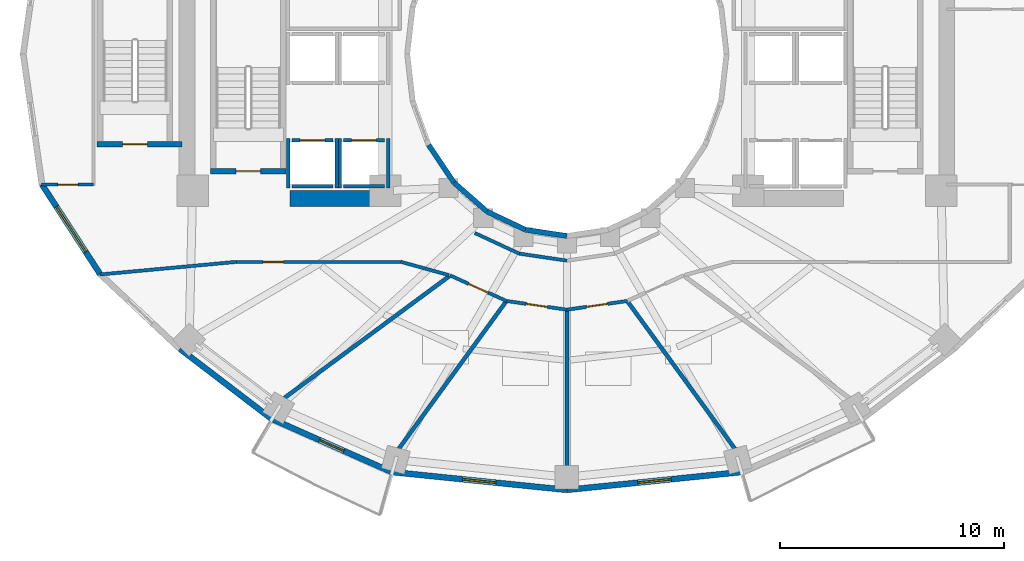
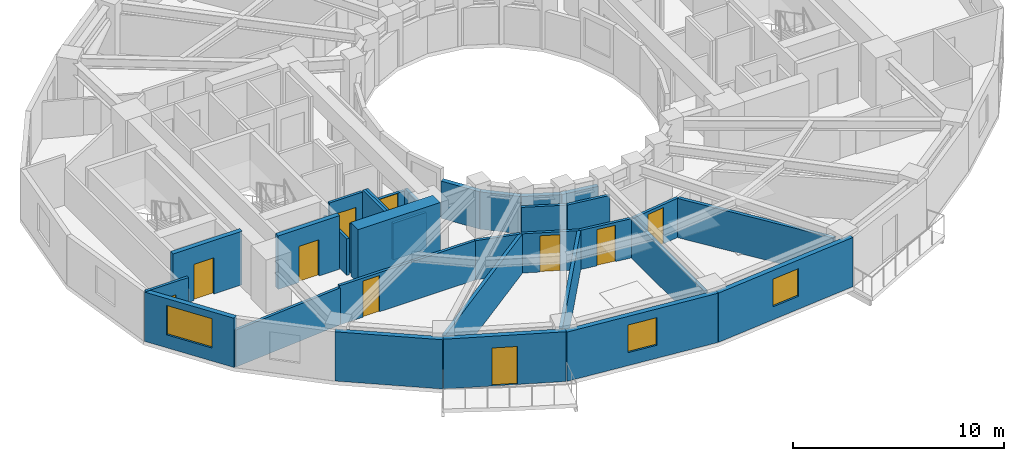
# One storey, part 3 of 10: 33 walls, 10 doors, 3 windows, 13 openings.
"""IFC4 building model written with IfcOpenShell, lengths in metres."""

from ifc_helpers import new_model, si_unit, direction, frame, frame_2d, origin, place, context, subcontext, project, spatial, rectangle, extrude, material, layer, layer_set, type_object, element, fill, save


model = new_model("IFC4")

# Units and contexts
model_context = context("Model", 3, precision=1e-05, world=origin(), true_north=direction((0.0, 1.0)))
body_context = subcontext(model_context, "Body", "Model", "MODEL_VIEW")
ifc_project = project(units=[si_unit("LENGTHUNIT", "METRE"), si_unit("AREAUNIT", "SQUARE_METRE"), si_unit("VOLUMEUNIT", "CUBIC_METRE"), si_unit("PLANEANGLEUNIT", "RADIAN"), si_unit("MASSUNIT", "GRAM", prefix="KILO")], contexts=[model_context])

# Site, building, storey
site_placement = place(None, origin())
site = spatial("IfcSite", under=ifc_project, at=site_placement, CompositionType="ELEMENT")
building_placement = place(site_placement, origin())
building = spatial("IfcBuilding", under=site, at=building_placement, Name="Solvane Sanctuary Tower", CompositionType="ELEMENT")
storey_placement = place(building_placement, frame((0.0, 0.0, 107.300048828125)))
storey = spatial("IfcBuildingStorey", under=building, at=storey_placement, Name="L32", CompositionType="ELEMENT", Elevation=107.300048828125)

# Walls
ifc_material_1 = material(Name="Concrete C60/75", Category="concrete")
ifc_layer_1 = layer(ifc_material_1, 0.699951171875, Name="Concrete C60/75")
ifc_layer_set_1 = layer_set([ifc_layer_1], Name="Concrete C60/75")
wall_type_1 = type_object("IfcWallType", Name="Wall W-CORE-700", PredefinedType="SHEAR", material=ifc_layer_set_1)
wall_1_placement = place(storey_placement, frame((19.64990234375, 16.550048828125, 0.0), z_axis=(0.0, 0.0, 1.0), x_axis=(1.0, 0.0, 0.0)))
element("IfcWall", 1, at=wall_1_placement, inside=storey, type_object=wall_type_1, Name="L32 Core Shear Wall WC-S", PredefinedType="SHEAR", context=body_context, shape_type="SweptSolid", body=[
    extrude(rectangle(XDim=4.5, YDim=0.699951171875, at=frame_2d((2.25, 0.0))), origin(), (0.0, 0.0, 1.0), 3.099853515625),
])
ifc_material_2 = material(Name="Acoustic Gypsum Partition Board")
ifc_layer_2 = layer(ifc_material_2, 0.14990234375, Name="Acoustic Gypsum Partition Board")
ifc_layer_set_2 = layer_set([ifc_layer_2], Name="Acoustic Gypsum Partition Board")
wall_type_2 = type_object("IfcWallType", Name="Wall W-CORR-150", PredefinedType="PARTITIONING", material=ifc_layer_set_2)
wall_2_placement = place(storey_placement, frame((27.889892578125, 15.01513671875, 0.0), z_axis=(0.0, 0.0, 1.0), x_axis=(0.906943449489, -0.421252393975, 0.0)))
element("IfcWall", 2, at=wall_2_placement, inside=storey, type_object=wall_type_2, Name="L32 Light-Well Corridor Rim Wall S1", PredefinedType="PARTITIONING", context=body_context, shape_type="SweptSolid", body=[
    extrude(rectangle(XDim=2.18603515625, YDim=0.14990234375, at=frame_2d((1.093017578125, 0.0))), origin(), (0.0, 0.0, 1.0), 2.27197265625),
])
wall_3_placement = place(storey_placement, frame((29.87255859375, 14.09423828125, 0.0), z_axis=(0.0, 0.0, 1.0), x_axis=(0.989268584896, -0.146108408166, 0.0)))
element("IfcWall", 3, at=wall_3_placement, inside=storey, type_object=wall_type_2, Name="L32 Light-Well Corridor Rim Wall S2", PredefinedType="PARTITIONING", context=body_context, shape_type="SweptSolid", body=[
    extrude(rectangle(XDim=2.150634765625, YDim=0.14990234375, at=frame_2d((1.0751953125, 0.0))), origin(), (0.0, 0.0, 1.0), 2.27197265625),
])

# Wall, opening, door
wall_4_placement = place(storey_placement, frame((8.558349609375, 17.1748046875, 0.0), z_axis=(0.0, 0.0, 1.0), x_axis=(1.0, 0.0, 0.0)))
wall_4 = element("IfcWall", 4, at=wall_4_placement, inside=storey, type_object=wall_type_2, Name="L32 West Shoulder South Wall", PredefinedType="PARTITIONING", context=body_context, shape_type="SweptSolid", body=[
    extrude(rectangle(XDim=2.321533203125, YDim=0.14990234375, at=frame_2d((1.16064453125, 0.0))), origin(), (0.0, 0.0, 1.0), 2.85498046875),
])
opening_1_placement = place(wall_4_placement, frame((0.73095703125, 0.0, 0.0)))
opening_1 = element("IfcOpeningElement", 5, at=opening_1_placement, cuts=wall_4, Name="Opening D-L32-16", PredefinedType="OPENING", context=body_context, shape_type="SweptSolid", body=[
    extrude(rectangle(XDim=0.89990234375, YDim=2.10009765625, at=frame_2d((0.449951171875, 1.050048828125))), frame((0.0, 0.0849609375, 0.0), z_axis=(0.0, -1.0, 0.0), x_axis=(1.0, 0.0, 0.0)), (0.0, 0.0, 1.0), 0.169921875),
])
ifc_material_3 = material(Name="Engineered Tropical Hardwood", Category="wood")
door_type_1 = type_object("IfcDoorType", Name="Door D-WET-900", OperationType="NOTDEFINED", PredefinedType="DOOR", material=ifc_material_3)
door_1_placement = place(opening_1_placement, origin())
door_1 = element("IfcDoor", 6, at=door_1_placement, inside=storey, type_object=door_type_1, Name="L32 West Shoulder South Door", OperationType="SINGLE_SWING_LEFT", OverallHeight=2.10009765625, OverallWidth=0.89990234375, PredefinedType="DOOR", context=body_context, shape_type="SweptSolid", body=[
    extrude(rectangle(XDim=0.89990234375, YDim=2.10009765625, at=frame_2d((0.449951171875, 1.050048828125))), frame((0.0, 0.02490234375, 0.0), z_axis=(0.0, -1.0, 0.0), x_axis=(1.0, 0.0, 0.0)), (0.0, 0.0, 1.0), 0.050048828125),
])
fill(opening_1, door_1)

# Wall
wall_5_placement = place(storey_placement, frame((26.741943359375, 13.13330078125, 0.0), z_axis=(0.0, 0.0, 1.0), x_axis=(-0.963833843713, 0.266503886865, 0.0)))
element("IfcWall", 7, at=wall_5_placement, inside=storey, type_object=wall_type_2, Name="L32 SW Corner Throat Wall", PredefinedType="PARTITIONING", context=body_context, shape_type="SweptSolid", body=[
    extrude(rectangle(XDim=2.231689453125, YDim=0.14990234375, at=frame_2d((1.11572265625, 0.0))), origin(), (0.0, 0.0, 1.0), 2.27197265625),
])

# Wall, opening, door
wall_6_placement = place(storey_placement, frame((17.14990234375, 13.719970703125, 0.0), z_axis=(0.0, 0.0, 1.0), x_axis=(1.0, 0.0, 0.0)))
wall_6 = element("IfcWall", 8, at=wall_6_placement, inside=storey, type_object=wall_type_2, Name="L32 SW Corner Corridor Wall", PredefinedType="PARTITIONING", context=body_context, shape_type="SweptSolid", body=[
    extrude(rectangle(XDim=7.52001953125, YDim=0.14990234375, at=frame_2d((3.760009765625, 0.0))), origin(), (0.0, 0.0, 1.0), 2.27197265625),
])
opening_2_placement = place(wall_6_placement, frame((1.300048828125, 0.0, 0.0)))
opening_2 = element("IfcOpeningElement", 9, at=opening_2_placement, cuts=wall_6, Name="Opening D-L32-20", PredefinedType="OPENING", context=body_context, shape_type="SweptSolid", body=[
    extrude(rectangle(XDim=0.89990234375, YDim=2.10009765625, at=frame_2d((0.449951171875, 1.050048828125))), frame((0.0, 0.0849609375, 0.0), z_axis=(0.0, -1.0, 0.0), x_axis=(1.0, 0.0, 0.0)), (0.0, 0.0, 1.0), 0.169921875),
])
door_2_placement = place(opening_2_placement, origin())
door_2 = element("IfcDoor", 10, at=door_2_placement, inside=storey, type_object=door_type_1, Name="L32 SW Corner Salon Door", OperationType="SINGLE_SWING_LEFT", OverallHeight=2.10009765625, OverallWidth=0.89990234375, PredefinedType="DOOR", context=body_context, shape_type="SweptSolid", body=[
    extrude(rectangle(XDim=0.89990234375, YDim=2.10009765625, at=frame_2d((0.449951171875, 1.050048828125))), frame((0.0, 0.02490234375, 0.0), z_axis=(0.0, -1.0, 0.0), x_axis=(1.0, 0.0, 0.0)), (0.0, 0.0, 1.0), 0.050048828125),
])
fill(opening_2, door_2)

# Wall
wall_7_placement = place(storey_placement, frame((17.249755859375, 13.724609375, 0.0), z_axis=(0.0, 0.0, 1.0), x_axis=(-0.995748209098, -0.092116795851, 0.0)))
element("IfcWall", 11, at=wall_7_placement, inside=storey, type_object=wall_type_2, Name="L32 SW Corner Wing Wall", PredefinedType="PARTITIONING", context=body_context, shape_type="SweptSolid", body=[
    extrude(rectangle(XDim=6.111572265625, YDim=0.14990234375, at=frame_2d((3.0556640625, 0.0))), origin(), (0.0, 0.0, 1.0), 2.141845703125),
])

# Wall, opening, door
wall_8_placement = place(storey_placement, frame((26.788818359375, 13.12255859375, 0.0), z_axis=(0.0, 0.0, 1.0), x_axis=(0.910568469686, -0.41335827319, 0.0)))
wall_8 = element("IfcWall", 12, at=wall_8_placement, inside=storey, type_object=wall_type_2, Name="L32 Unit Corridor Wall S1", PredefinedType="PARTITIONING", context=body_context, shape_type="SweptSolid", body=[
    extrude(rectangle(XDim=2.771728515625, YDim=0.14990234375, at=frame_2d((1.3857421875, 0.0))), origin(), (0.0, 0.0, 1.0), 2.27197265625),
])
opening_3_placement = place(wall_8_placement, frame((0.910888671875, 0.0, 0.0)))
opening_3 = element("IfcOpeningElement", 13, at=opening_3_placement, cuts=wall_8, Name="Opening D-L32-26", PredefinedType="OPENING", context=body_context, shape_type="SweptSolid", body=[
    extrude(rectangle(XDim=0.949951171875, YDim=2.10009765625, at=frame_2d((0.47509765625, 1.050048828125))), frame((0.0, 0.0849609375, 0.0), z_axis=(0.0, -1.0, 0.0), x_axis=(1.0, 0.0, 0.0)), (0.0, 0.0, 1.0), 0.169921875),
])
door_type_2 = type_object("IfcDoorType", Name="Door D-ROOM-950", OperationType="NOTDEFINED", PredefinedType="DOOR", material=ifc_material_3)
door_3_placement = place(opening_3_placement, origin())
door_3 = element("IfcDoor", 14, at=door_3_placement, inside=storey, type_object=door_type_2, Name="L32 Unit Entrance Door S1", OperationType="SINGLE_SWING_LEFT", OverallHeight=2.10009765625, OverallWidth=0.949951171875, PredefinedType="DOOR", context=body_context, shape_type="SweptSolid", body=[
    extrude(rectangle(XDim=0.949951171875, YDim=2.10009765625, at=frame_2d((0.47509765625, 1.050048828125))), frame((0.0, 0.02490234375, 0.0), z_axis=(0.0, -1.0, 0.0), x_axis=(1.0, 0.0, 0.0)), (0.0, 0.0, 1.0), 0.050048828125),
])
fill(opening_3, door_3)

wall_9_placement = place(storey_placement, frame((29.298583984375, 11.98095703125, 0.0), z_axis=(0.0, 0.0, 1.0), x_axis=(0.989748682384, -0.142819976611, 0.0)))
wall_9 = element("IfcWall", 15, at=wall_9_placement, inside=storey, type_object=wall_type_2, Name="L32 Unit Corridor Wall S2", PredefinedType="PARTITIONING", context=body_context, shape_type="SweptSolid", body=[
    extrude(rectangle(XDim=2.73681640625, YDim=0.14990234375, at=frame_2d((1.368408203125, 0.0))), origin(), (0.0, 0.0, 1.0), 2.27197265625),
])
opening_4_placement = place(wall_9_placement, frame((0.893310546875, 0.0, 0.0)))
opening_4 = element("IfcOpeningElement", 16, at=opening_4_placement, cuts=wall_9, Name="Opening D-L32-27", PredefinedType="OPENING", context=body_context, shape_type="SweptSolid", body=[
    extrude(rectangle(XDim=0.949951171875, YDim=2.10009765625, at=frame_2d((0.47509765625, 1.050048828125))), frame((0.0, 0.0849609375, 0.0), z_axis=(0.0, -1.0, 0.0), x_axis=(1.0, 0.0, 0.0)), (0.0, 0.0, 1.0), 0.169921875),
])
door_4_placement = place(opening_4_placement, origin())
door_4 = element("IfcDoor", 17, at=door_4_placement, inside=storey, type_object=door_type_2, Name="L32 Unit Entrance Door S2", OperationType="SINGLE_SWING_RIGHT", OverallHeight=2.10009765625, OverallWidth=0.949951171875, PredefinedType="DOOR", context=body_context, shape_type="SweptSolid", body=[
    extrude(rectangle(XDim=0.949951171875, YDim=2.10009765625, at=frame_2d((0.47509765625, 1.050048828125))), frame((0.0, 0.02490234375, 0.0), z_axis=(0.0, -1.0, 0.0), x_axis=(1.0, 0.0, 0.0)), (0.0, 0.0, 1.0), 0.050048828125),
])
fill(opening_4, door_4)

wall_10_placement = place(storey_placement, frame((31.99267578125, 11.590087890625, 0.0), z_axis=(0.0, 0.0, 1.0), x_axis=(0.989748682384, 0.142819976611, 0.0)))
wall_10 = element("IfcWall", 18, at=wall_10_placement, inside=storey, type_object=wall_type_2, Name="L32 Unit Corridor Wall S3", PredefinedType="PARTITIONING", context=body_context, shape_type="SweptSolid", body=[
    extrude(rectangle(XDim=2.73681640625, YDim=0.14990234375, at=frame_2d((1.368408203125, 0.0))), origin(), (0.0, 0.0, 1.0), 2.27197265625),
])
opening_5_placement = place(wall_10_placement, frame((0.893310546875, 0.0, 0.0)))
opening_5 = element("IfcOpeningElement", 19, at=opening_5_placement, cuts=wall_10, Name="Opening D-L32-28", PredefinedType="OPENING", context=body_context, shape_type="SweptSolid", body=[
    extrude(rectangle(XDim=0.949951171875, YDim=2.10009765625, at=frame_2d((0.47509765625, 1.050048828125))), frame((0.0, 0.0849609375, 0.0), z_axis=(0.0, -1.0, 0.0), x_axis=(1.0, 0.0, 0.0)), (0.0, 0.0, 1.0), 0.169921875),
])
door_5_placement = place(opening_5_placement, origin())
door_5 = element("IfcDoor", 20, at=door_5_placement, inside=storey, type_object=door_type_2, Name="L32 Unit Entrance Door S3", OperationType="SINGLE_SWING_LEFT", OverallHeight=2.10009765625, OverallWidth=0.949951171875, PredefinedType="DOOR", context=body_context, shape_type="SweptSolid", body=[
    extrude(rectangle(XDim=0.949951171875, YDim=2.10009765625, at=frame_2d((0.47509765625, 1.050048828125))), frame((0.0, 0.02490234375, 0.0), z_axis=(0.0, -1.0, 0.0), x_axis=(1.0, 0.0, 0.0)), (0.0, 0.0, 1.0), 0.050048828125),
])
fill(opening_5, door_5)

# Wall, opening, window
ifc_material_4 = material(Name="Precast concrete C40/50", Category="concrete")
ifc_layer_3 = layer(ifc_material_4, 0.260009765625, Name="Precast concrete C40/50")
ifc_layer_set_3 = layer_set([ifc_layer_3], Name="Precast concrete C40/50")
wall_type_3 = type_object("IfcWallType", Name="Wall W-EXT-250", PredefinedType="STANDARD", material=ifc_layer_set_3)
wall_11_placement = place(storey_placement, frame((8.578125, 17.181396484375, 0.0), z_axis=(0.0, 0.0, 1.0), x_axis=(0.544388392991, -0.838833283541, 0.0)))
wall_11 = element("IfcWall", 21, at=wall_11_placement, inside=storey, type_object=wall_type_3, Name="L32 Ceramic-Printed Facade Wall 13", PredefinedType="STANDARD", context=body_context, shape_type="SweptSolid", body=[
    extrude(rectangle(XDim=4.7783203125, YDim=0.260009765625, at=frame_2d((2.38916015625, 0.0))), origin(), (0.0, 0.0, 1.0), 2.849853515625),
])
opening_6_placement = place(wall_11_placement, frame((1.189208984375, 0.0, 0.75)))
opening_6 = element("IfcOpeningElement", 22, at=opening_6_placement, cuts=wall_11, Name="Opening WN-RIB-2400", PredefinedType="OPENING", context=body_context, shape_type="SweptSolid", body=[
    extrude(rectangle(XDim=2.39990234375, YDim=1.699951171875, at=frame_2d((1.199951171875, 0.85009765625))), frame((0.0, 0.139892578125, 0.0), z_axis=(0.0, -1.0, 0.0), x_axis=(1.0, 0.0, 0.0)), (0.0, 0.0, 1.0), 0.280029296875),
])
ifc_material_5 = material(Name="Dark Ceramic-Fritted Low-E Glass", Category="glass")
window_type_1 = type_object("IfcWindowType", Name="Window WN-RIB-2400", PartitioningType="SINGLE_PANEL", PredefinedType="WINDOW", material=ifc_material_5)
window_1_placement = place(opening_6_placement, origin())
window_1 = element("IfcWindow", 23, at=window_1_placement, inside=storey, type_object=window_type_1, Name="L32 Operable Facade Window 13", OverallHeight=1.699951171875, OverallWidth=2.39990234375, PartitioningType="SINGLE_PANEL", PredefinedType="WINDOW", context=body_context, shape_type="SweptSolid", body=[
    extrude(rectangle(XDim=2.39990234375, YDim=1.699951171875, at=frame_2d((1.199951171875, 0.85009765625))), frame((0.0, 0.030029296875, 0.0), z_axis=(0.0, -1.0, 0.0), x_axis=(1.0, 0.0, 0.0)), (0.0, 0.0, 1.0), 0.06005859375),
])
fill(opening_6, window_1)

# Wall
wall_12_placement = place(storey_placement, frame((14.734130859375, 9.8466796875, 0.0), z_axis=(0.0, 0.0, 1.0), x_axis=(0.794809810864, -0.606858603427, 0.0)))
element("IfcWall", 24, at=wall_12_placement, inside=storey, type_object=wall_type_3, Name="L32 Ceramic-Printed Facade Wall 15", PredefinedType="STANDARD", context=body_context, shape_type="SweptSolid", body=[
    extrude(rectangle(XDim=5.149169921875, YDim=0.260009765625, at=frame_2d((2.57470703125, 0.0))), origin(), (0.0, 0.0, 1.0), 2.849853515625),
])

# Wall, opening, door
wall_13_placement = place(storey_placement, frame((18.82666015625, 6.721923828125, 0.0), z_axis=(0.0, 0.0, 1.0), x_axis=(0.914336605747, -0.404955023911, 0.0)))
wall_13 = element("IfcWall", 25, at=wall_13_placement, inside=storey, type_object=wall_type_3, Name="L32 Balcony Facade Wall S1", PredefinedType="STANDARD", context=body_context, shape_type="SweptSolid", body=[
    extrude(rectangle(XDim=5.85888671875, YDim=0.260009765625, at=frame_2d((2.929443359375, 0.0))), origin(), (0.0, 0.0, 1.0), 2.8798828125),
])
opening_7_placement = place(wall_13_placement, frame((2.329345703125, 0.0, 0.0)))
opening_7 = element("IfcOpeningElement", 26, at=opening_7_placement, cuts=wall_13, Name="Opening D-L32-03", PredefinedType="OPENING", context=body_context, shape_type="SweptSolid", body=[
    extrude(rectangle(XDim=1.199951171875, YDim=2.199951171875, at=frame_2d((0.60009765625, 1.10009765625))), frame((0.0, 0.139892578125, 0.0), z_axis=(0.0, -1.0, 0.0), x_axis=(1.0, 0.0, 0.0)), (0.0, 0.0, 1.0), 0.280029296875),
])
ifc_material_6 = material(Name="Anodised Aluminium 6063-T6", Category="aluminium")
door_type_3 = type_object("IfcDoorType", Name="Door D-BALC-1200", OperationType="NOTDEFINED", PredefinedType="DOOR", material=ifc_material_6)
door_6_placement = place(opening_7_placement, origin())
door_6 = element("IfcDoor", 27, at=door_6_placement, inside=storey, type_object=door_type_3, Name="L32 Glazed Balcony Door S1", OperationType="SINGLE_SWING_RIGHT", OverallHeight=2.199951171875, OverallWidth=1.199951171875, PredefinedType="DOOR", context=body_context, shape_type="SweptSolid", body=[
    extrude(rectangle(XDim=1.199951171875, YDim=2.199951171875, at=frame_2d((0.60009765625, 1.10009765625))), frame((0.0, 0.02490234375, 0.0), z_axis=(0.0, -1.0, 0.0), x_axis=(1.0, 0.0, 0.0)), (0.0, 0.0, 1.0), 0.050048828125),
])
fill(opening_7, door_6)

# Wall, opening, window
wall_14_placement = place(storey_placement, frame((24.18359375, 4.349365234375, 0.0), z_axis=(0.0, 0.0, 1.0), x_axis=(0.994821390558, -0.101638579726, 0.0)))
wall_14 = element("IfcWall", 28, at=wall_14_placement, inside=storey, type_object=wall_type_3, Name="L32 Ceramic-Printed Facade Wall 17", PredefinedType="STANDARD", context=body_context, shape_type="SweptSolid", body=[
    extrude(rectangle(XDim=7.857177734375, YDim=0.260009765625, at=frame_2d((3.9287109375, 0.0))), origin(), (0.0, 0.0, 1.0), 2.849853515625),
])
opening_8_placement = place(wall_14_placement, frame((3.178466796875, 0.0, 0.75)))
opening_8 = element("IfcOpeningElement", 29, at=opening_8_placement, cuts=wall_14, Name="Opening WN-OPER-1500", PredefinedType="OPENING", context=body_context, shape_type="SweptSolid", body=[
    extrude(rectangle(XDim=1.5, YDim=1.60009765625, at=frame_2d((0.75, 0.800048828125))), frame((0.0, 0.139892578125, 0.0), z_axis=(0.0, -1.0, 0.0), x_axis=(1.0, 0.0, 0.0)), (0.0, 0.0, 1.0), 0.280029296875),
])
window_type_2 = type_object("IfcWindowType", Name="Window WN-OPER-1500", PartitioningType="SINGLE_PANEL", PredefinedType="WINDOW", material=ifc_material_5)
window_2_placement = place(opening_8_placement, origin())
window_2 = element("IfcWindow", 30, at=window_2_placement, inside=storey, type_object=window_type_2, Name="L32 Operable Facade Window 17", OverallHeight=1.60009765625, OverallWidth=1.5, PartitioningType="SINGLE_PANEL", PredefinedType="WINDOW", context=body_context, shape_type="SweptSolid", body=[
    extrude(rectangle(XDim=1.5, YDim=1.60009765625, at=frame_2d((0.75, 0.800048828125))), frame((0.0, 0.030029296875, 0.0), z_axis=(0.0, -1.0, 0.0), x_axis=(1.0, 0.0, 0.0)), (0.0, 0.0, 1.0), 0.06005859375),
])
fill(opening_8, window_2)

wall_15_placement = place(storey_placement, frame((32.0, 3.55078125, 0.0), z_axis=(0.0, 0.0, 1.0), x_axis=(0.994821390558, 0.101638579726, 0.0)))
wall_15 = element("IfcWall", 31, at=wall_15_placement, inside=storey, type_object=wall_type_3, Name="L32 Ceramic-Printed Facade Wall 18", PredefinedType="STANDARD", context=body_context, shape_type="SweptSolid", body=[
    extrude(rectangle(XDim=7.857177734375, YDim=0.260009765625, at=frame_2d((3.9287109375, 0.0))), origin(), (0.0, 0.0, 1.0), 2.849853515625),
])
opening_9_placement = place(wall_15_placement, frame((3.178466796875, 0.0, 0.75)))
opening_9 = element("IfcOpeningElement", 32, at=opening_9_placement, cuts=wall_15, Name="Opening WN-OPER-1500", PredefinedType="OPENING", context=body_context, shape_type="SweptSolid", body=[
    extrude(rectangle(XDim=1.5, YDim=1.60009765625, at=frame_2d((0.75, 0.800048828125))), frame((0.0, 0.139892578125, 0.0), z_axis=(0.0, -1.0, 0.0), x_axis=(1.0, 0.0, 0.0)), (0.0, 0.0, 1.0), 0.280029296875),
])
window_3_placement = place(opening_9_placement, origin())
window_3 = element("IfcWindow", 33, at=window_3_placement, inside=storey, type_object=window_type_2, Name="L32 Operable Facade Window 18", OverallHeight=1.60009765625, OverallWidth=1.5, PartitioningType="SINGLE_PANEL", PredefinedType="WINDOW", context=body_context, shape_type="SweptSolid", body=[
    extrude(rectangle(XDim=1.5, YDim=1.60009765625, at=frame_2d((0.75, 0.800048828125))), frame((0.0, 0.030029296875, 0.0), z_axis=(0.0, -1.0, 0.0), x_axis=(1.0, 0.0, 0.0)), (0.0, 0.0, 1.0), 0.06005859375),
])
fill(opening_9, window_3)

# Walls
ifc_layer_4 = layer(ifc_material_4, 0.22998046875, Name="Precast concrete C40/50")
ifc_layer_set_4 = layer_set([ifc_layer_4], Name="Precast concrete C40/50")
wall_type_4 = type_object("IfcWallType", Name="Wall W-EXT-SP220", PredefinedType="STANDARD", material=ifc_layer_set_4)
wall_16_placement = place(storey_placement, frame((25.833984375, 18.93994140625, 0.0), z_axis=(0.0, 0.0, 1.0), x_axis=(0.558197800898, -0.829707909492, 0.0)))
element("IfcWall", 34, at=wall_16_placement, inside=storey, type_object=wall_type_4, Name="L32 Central Light-Well Wall 14", PredefinedType="STANDARD", context=body_context, shape_type="SweptSolid", body=[
    extrude(rectangle(XDim=2.02685546875, YDim=0.22998046875, at=frame_2d((1.013427734375, 0.0))), origin(), (0.0, 0.0, 1.0), 2.159912109375),
])
wall_17_placement = place(storey_placement, frame((26.96533203125, 17.25830078125, 0.0), z_axis=(0.0, 0.0, 1.0), x_axis=(0.752576694707, -0.658504607869, 0.0)))
element("IfcWall", 35, at=wall_17_placement, inside=storey, type_object=wall_type_4, Name="L32 Central Light-Well Wall 15", PredefinedType="STANDARD", context=body_context, shape_type="SweptSolid", body=[
    extrude(rectangle(XDim=1.95947265625, YDim=0.22998046875, at=frame_2d((0.979736328125, 0.0))), origin(), (0.0, 0.0, 1.0), 2.159912109375),
])
wall_18_placement = place(storey_placement, frame((28.43994140625, 15.968017578125, 0.0), z_axis=(0.0, 0.0, 1.0), x_axis=(0.904179699603, -0.427152280606, 0.0)))
element("IfcWall", 36, at=wall_18_placement, inside=storey, type_object=wall_type_4, Name="L32 Central Light-Well Wall 16", PredefinedType="STANDARD", context=body_context, shape_type="SweptSolid", body=[
    extrude(rectangle(XDim=1.899169921875, YDim=0.22998046875, at=frame_2d((0.94970703125, 0.0))), origin(), (0.0, 0.0, 1.0), 2.159912109375),
])
wall_19_placement = place(storey_placement, frame((30.1572265625, 15.15673828125, 0.0), z_axis=(0.0, 0.0, 1.0), x_axis=(0.988901730308, -0.148571086668, 0.0)))
element("IfcWall", 37, at=wall_19_placement, inside=storey, type_object=wall_type_4, Name="L32 Central Light-Well Wall 17", PredefinedType="STANDARD", context=body_context, shape_type="SweptSolid", body=[
    extrude(rectangle(XDim=1.863525390625, YDim=0.22998046875, at=frame_2d((0.931640625, 0.0))), origin(), (0.0, 0.0, 1.0), 2.159912109375),
])

# Wall, opening, door
ifc_material_7 = material(Name="Concrete C50/60", Category="concrete")
ifc_layer_5 = layer(ifc_material_7, 0.14990234375, Name="Concrete C50/60")
ifc_layer_set_5 = layer_set([ifc_layer_5], Name="Concrete C50/60")
wall_type_5 = type_object("IfcWallType", Name="Wall W-SHAFT-150", PredefinedType="SOLIDWALL", material=ifc_layer_set_5)
wall_20_placement = place(storey_placement, frame((19.739990234375, 19.159912109375, 0.0), z_axis=(0.0, 0.0, 1.0), x_axis=(1.0, 0.0, 0.0)))
wall_20 = element("IfcWall", 38, at=wall_20_placement, inside=storey, type_object=wall_type_5, Name="L32 PL-1 Lift Shaft Wall F", PredefinedType="SOLIDWALL", context=body_context, shape_type="SweptSolid", body=[
    extrude(rectangle(XDim=1.820068359375, YDim=0.14990234375, at=frame_2d((0.91015625, 0.0))), origin(), (0.0, 0.0, 1.0), 2.85498046875),
])
opening_10_placement = place(wall_20_placement, frame((0.360107421875, 0.0, 0.0)))
opening_10 = element("IfcOpeningElement", 39, at=opening_10_placement, cuts=wall_20, Name="Opening LD-L32-01", PredefinedType="OPENING", context=body_context, shape_type="SweptSolid", body=[
    extrude(rectangle(XDim=1.10009765625, YDim=2.10009765625, at=frame_2d((0.550048828125, 1.050048828125))), frame((0.0, 0.0849609375, 0.0), z_axis=(0.0, -1.0, 0.0), x_axis=(1.0, 0.0, 0.0)), (0.0, 0.0, 1.0), 0.169921875),
])
ifc_material_8 = material(Name="Architectural Stainless Steel 316", Category="steel")
door_type_4 = type_object("IfcDoorType", Name="Door LD-PASS-1100", OperationType="NOTDEFINED", PredefinedType="DOOR", material=ifc_material_8)
door_7_placement = place(opening_10_placement, origin())
door_7 = element("IfcDoor", 40, at=door_7_placement, inside=storey, type_object=door_type_4, Name="L32 PL-1 Lift Landing Door", OperationType="DOUBLE_DOOR_SLIDING", OverallHeight=2.10009765625, OverallWidth=1.10009765625, PredefinedType="DOOR", context=body_context, shape_type="SweptSolid", body=[
    extrude(rectangle(XDim=1.10009765625, YDim=2.10009765625, at=frame_2d((0.550048828125, 1.050048828125))), frame((0.0, 0.02490234375, 0.0), z_axis=(0.0, -1.0, 0.0), x_axis=(1.0, 0.0, 0.0)), (0.0, 0.0, 1.0), 0.050048828125),
])
fill(opening_10, door_7)

# Walls
wall_21_placement = place(storey_placement, frame((19.739990234375, 17.10009765625, 0.0), z_axis=(0.0, 0.0, 1.0), x_axis=(1.0, 0.0, 0.0)))
element("IfcWall", 41, at=wall_21_placement, inside=storey, type_object=wall_type_5, Name="L32 PL-1 Lift Shaft Wall B", PredefinedType="SOLIDWALL", context=body_context, shape_type="SweptSolid", body=[
    extrude(rectangle(XDim=1.820068359375, YDim=0.14990234375, at=frame_2d((0.91015625, 0.0))), origin(), (0.0, 0.0, 1.0), 2.85498046875),
])
wall_22_placement = place(storey_placement, frame((19.570068359375, 17.02001953125, 0.0), z_axis=(0.0, 0.0, 1.0), x_axis=(0.0, 1.0, 0.0)))
element("IfcWall", 42, at=wall_22_placement, inside=storey, type_object=wall_type_5, Name="L32 PL-1 Lift Shaft Wall S1", PredefinedType="SOLIDWALL", context=body_context, shape_type="SweptSolid", body=[
    extrude(rectangle(XDim=2.219970703125, YDim=0.14990234375, at=frame_2d((1.10986328125, 0.0))), origin(), (0.0, 0.0, 1.0), 2.119873046875),
])
wall_23_placement = place(storey_placement, frame((21.72998046875, 17.02001953125, 0.0), z_axis=(0.0, 0.0, 1.0), x_axis=(0.0, 1.0, 0.0)))
element("IfcWall", 43, at=wall_23_placement, inside=storey, type_object=wall_type_5, Name="L32 PL-1 Lift Shaft Wall S2", PredefinedType="SOLIDWALL", context=body_context, shape_type="SweptSolid", body=[
    extrude(rectangle(XDim=2.219970703125, YDim=0.14990234375, at=frame_2d((1.10986328125, 0.0))), origin(), (0.0, 0.0, 1.0), 2.85498046875),
])

# Wall, opening, door
wall_24_placement = place(storey_placement, frame((22.0400390625, 19.159912109375, 0.0), z_axis=(0.0, 0.0, 1.0), x_axis=(1.0, 0.0, 0.0)))
wall_24 = element("IfcWall", 44, at=wall_24_placement, inside=storey, type_object=wall_type_5, Name="L32 PL-2 Lift Shaft Wall F", PredefinedType="SOLIDWALL", context=body_context, shape_type="SweptSolid", body=[
    extrude(rectangle(XDim=1.820068359375, YDim=0.14990234375, at=frame_2d((0.91015625, 0.0))), origin(), (0.0, 0.0, 1.0), 2.119873046875),
])
opening_11_placement = place(wall_24_placement, frame((0.360107421875, 0.0, 0.0)))
opening_11 = element("IfcOpeningElement", 45, at=opening_11_placement, cuts=wall_24, Name="Opening LD-L32-02", PredefinedType="OPENING", context=body_context, shape_type="SweptSolid", body=[
    extrude(rectangle(XDim=1.10009765625, YDim=2.10009765625, at=frame_2d((0.550048828125, 1.050048828125))), frame((0.0, 0.0849609375, 0.0), z_axis=(0.0, -1.0, 0.0), x_axis=(1.0, 0.0, 0.0)), (0.0, 0.0, 1.0), 0.169921875),
])
door_8_placement = place(opening_11_placement, origin())
door_8 = element("IfcDoor", 46, at=door_8_placement, inside=storey, type_object=door_type_4, Name="L32 PL-2 Lift Landing Door", OperationType="DOUBLE_DOOR_SLIDING", OverallHeight=2.10009765625, OverallWidth=1.10009765625, PredefinedType="DOOR", context=body_context, shape_type="SweptSolid", body=[
    extrude(rectangle(XDim=1.10009765625, YDim=2.10009765625, at=frame_2d((0.550048828125, 1.050048828125))), frame((0.0, 0.02490234375, 0.0), z_axis=(0.0, -1.0, 0.0), x_axis=(1.0, 0.0, 0.0)), (0.0, 0.0, 1.0), 0.050048828125),
])
fill(opening_11, door_8)

# Walls
wall_25_placement = place(storey_placement, frame((22.0400390625, 17.10009765625, 0.0), z_axis=(0.0, 0.0, 1.0), x_axis=(1.0, 0.0, 0.0)))
element("IfcWall", 47, at=wall_25_placement, inside=storey, type_object=wall_type_5, Name="L32 PL-2 Lift Shaft Wall B", PredefinedType="SOLIDWALL", context=body_context, shape_type="SweptSolid", body=[
    extrude(rectangle(XDim=1.820068359375, YDim=0.14990234375, at=frame_2d((0.91015625, 0.0))), origin(), (0.0, 0.0, 1.0), 2.119873046875),
])
wall_26_placement = place(storey_placement, frame((21.8701171875, 17.02001953125, 0.0), z_axis=(0.0, 0.0, 1.0), x_axis=(0.0, 1.0, 0.0)))
element("IfcWall", 48, at=wall_26_placement, inside=storey, type_object=wall_type_5, Name="L32 PL-2 Lift Shaft Wall S1", PredefinedType="SOLIDWALL", context=body_context, shape_type="SweptSolid", body=[
    extrude(rectangle(XDim=2.219970703125, YDim=0.14990234375, at=frame_2d((1.10986328125, 0.0))), origin(), (0.0, 0.0, 1.0), 2.85498046875),
])
wall_27_placement = place(storey_placement, frame((24.030029296875, 17.02001953125, 0.0), z_axis=(0.0, 0.0, 1.0), x_axis=(0.0, 1.0, 0.0)))
element("IfcWall", 49, at=wall_27_placement, inside=storey, type_object=wall_type_5, Name="L32 PL-2 Lift Shaft Wall S2", PredefinedType="SOLIDWALL", context=body_context, shape_type="SweptSolid", body=[
    extrude(rectangle(XDim=2.219970703125, YDim=0.14990234375, at=frame_2d((1.10986328125, 0.0))), origin(), (0.0, 0.0, 1.0), 2.119873046875),
])

# Wall, opening, door
ifc_layer_6 = layer(ifc_material_7, 0.25, Name="Concrete C50/60")
ifc_layer_set_6 = layer_set([ifc_layer_6], Name="Concrete C50/60")
wall_type_6 = type_object("IfcWallType", Name="Wall W-SHAFT-250", PredefinedType="SOLIDWALL", material=ifc_layer_set_6)
wall_28_placement = place(storey_placement, frame((16.10498046875, 17.77001953125, 0.0), z_axis=(0.0, 0.0, 1.0), x_axis=(1.0, 0.0, 0.0)))
wall_28 = element("IfcWall", 50, at=wall_28_placement, inside=storey, type_object=wall_type_6, Name="L32 ST-1 Load-Bearing Shaft Wall S", PredefinedType="SOLIDWALL", context=body_context, shape_type="SweptSolid", body=[
    extrude(rectangle(XDim=3.3701171875, YDim=0.25, at=frame_2d((1.68505859375, 0.0))), origin(), (0.0, 0.0, 1.0), 3.099853515625),
])
opening_12_placement = place(wall_28_placement, frame((1.135009765625, 0.0, 0.0)))
opening_12 = element("IfcOpeningElement", 51, at=opening_12_placement, cuts=wall_28, Name="Opening D-L32-05", PredefinedType="OPENING", context=body_context, shape_type="SweptSolid", body=[
    extrude(rectangle(XDim=1.10009765625, YDim=2.10009765625, at=frame_2d((0.550048828125, 1.050048828125))), frame((0.0, 0.135009765625, 0.0), z_axis=(0.0, -1.0, 0.0), x_axis=(1.0, 0.0, 0.0)), (0.0, 0.0, 1.0), 0.27001953125),
])
door_type_5 = type_object("IfcDoorType", Name="Door D-STAIR", OperationType="NOTDEFINED", PredefinedType="DOOR", material=ifc_material_8)
door_9_placement = place(opening_12_placement, origin())
door_9 = element("IfcDoor", 52, at=door_9_placement, inside=storey, type_object=door_type_5, Name="L32 ST-1 Exit Stair Fire Door", OperationType="SINGLE_SWING_RIGHT", OverallHeight=2.10009765625, OverallWidth=1.10009765625, PredefinedType="DOOR", context=body_context, shape_type="SweptSolid", body=[
    extrude(rectangle(XDim=1.10009765625, YDim=2.10009765625, at=frame_2d((0.550048828125, 1.050048828125))), frame((0.0, 0.02490234375, 0.0), z_axis=(0.0, -1.0, 0.0), x_axis=(1.0, 0.0, 0.0)), (0.0, 0.0, 1.0), 0.050048828125),
])
fill(opening_12, door_9)

wall_29_placement = place(storey_placement, frame((11.044921875, 18.969970703125, 0.0), z_axis=(0.0, 0.0, 1.0), x_axis=(1.0, 0.0, 0.0)))
wall_29 = element("IfcWall", 53, at=wall_29_placement, inside=storey, type_object=wall_type_6, Name="L32 ST-3 Load-Bearing Shaft Wall S", PredefinedType="SOLIDWALL", context=body_context, shape_type="SweptSolid", body=[
    extrude(rectangle(XDim=3.781982421875, YDim=0.25, at=frame_2d((1.89111328125, 0.0))), origin(), (0.0, 0.0, 1.0), 3.099853515625),
])
opening_13_placement = place(wall_29_placement, frame((1.135009765625, 0.0, 0.0)))
opening_13 = element("IfcOpeningElement", 54, at=opening_13_placement, cuts=wall_29, Name="Opening D-L32-07", PredefinedType="OPENING", context=body_context, shape_type="SweptSolid", body=[
    extrude(rectangle(XDim=1.10009765625, YDim=2.10009765625, at=frame_2d((0.550048828125, 1.050048828125))), frame((0.0, 0.135009765625, 0.0), z_axis=(0.0, -1.0, 0.0), x_axis=(1.0, 0.0, 0.0)), (0.0, 0.0, 1.0), 0.27001953125),
])
door_10_placement = place(opening_13_placement, origin())
door_10 = element("IfcDoor", 55, at=door_10_placement, inside=storey, type_object=door_type_5, Name="L32 ST-3 Exit Stair Fire Door", OperationType="SINGLE_SWING_RIGHT", OverallHeight=2.10009765625, OverallWidth=1.10009765625, PredefinedType="DOOR", context=body_context, shape_type="SweptSolid", body=[
    extrude(rectangle(XDim=1.10009765625, YDim=2.10009765625, at=frame_2d((0.550048828125, 1.050048828125))), frame((0.0, 0.02490234375, 0.0), z_axis=(0.0, -1.0, 0.0), x_axis=(1.0, 0.0, 0.0)), (0.0, 0.0, 1.0), 0.050048828125),
])
fill(opening_13, door_10)

# Walls
ifc_layer_7 = layer(ifc_material_2, 0.179931640625, Name="Acoustic Gypsum Partition Board")
ifc_layer_set_7 = layer_set([ifc_layer_7], Name="Acoustic Gypsum Partition Board")
wall_type_7 = type_object("IfcWallType", Name="Wall W-UNIT-180", PredefinedType="PARTITIONING", material=ifc_layer_set_7)
wall_30_placement = place(storey_placement, frame((26.750732421875, 13.0859375, 0.0), z_axis=(0.0, 0.0, 1.0), x_axis=(-0.80430981394, -0.594210167533, 0.0)))
element("IfcWall", 56, at=wall_30_placement, inside=storey, type_object=wall_type_7, Name="L32 Radial Compartment Wall 240", PredefinedType="PARTITIONING", context=body_context, shape_type="SweptSolid", body=[
    extrude(rectangle(XDim=9.146240234375, YDim=0.179931640625, at=frame_2d((4.5732421875, 0.0))), origin(), (0.0, 0.0, 1.0), 2.27197265625),
])
wall_31_placement = place(storey_placement, frame((29.273193359375, 11.934326171875, 0.0), z_axis=(0.0, 0.0, 1.0), x_axis=(-0.589042211476, -0.808102266486, 0.0)))
element("IfcWall", 57, at=wall_31_placement, inside=storey, type_object=wall_type_7, Name="L32 Radial Compartment Wall 255", PredefinedType="PARTITIONING", context=body_context, shape_type="SweptSolid", body=[
    extrude(rectangle(XDim=8.101318359375, YDim=0.179931640625, at=frame_2d((4.05078125, 0.0))), origin(), (0.0, 0.0, 1.0), 2.27197265625),
])
wall_32_placement = place(storey_placement, frame((32.0, 11.534912109375, 0.0), z_axis=(0.0, 0.0, 1.0), x_axis=(0.0, -1.0, 0.0)))
element("IfcWall", 58, at=wall_32_placement, inside=storey, type_object=wall_type_7, Name="L32 Radial Compartment Wall 270", PredefinedType="PARTITIONING", context=body_context, shape_type="SweptSolid", body=[
    extrude(rectangle(XDim=6.909912109375, YDim=0.179931640625, at=frame_2d((3.455078125, 0.0))), origin(), (0.0, 0.0, 1.0), 2.27197265625),
])
wall_33_placement = place(storey_placement, frame((34.726806640625, 11.934326171875, 0.0), z_axis=(0.0, 0.0, 1.0), x_axis=(0.589042211476, -0.808102266486, 0.0)))
element("IfcWall", 59, at=wall_33_placement, inside=storey, type_object=wall_type_7, Name="L32 Radial Compartment Wall 285", PredefinedType="PARTITIONING", context=body_context, shape_type="SweptSolid", body=[
    extrude(rectangle(XDim=8.101318359375, YDim=0.179931640625, at=frame_2d((4.05078125, 0.0))), origin(), (0.0, 0.0, 1.0), 2.27197265625),
])

save(model, "model.ifc")
